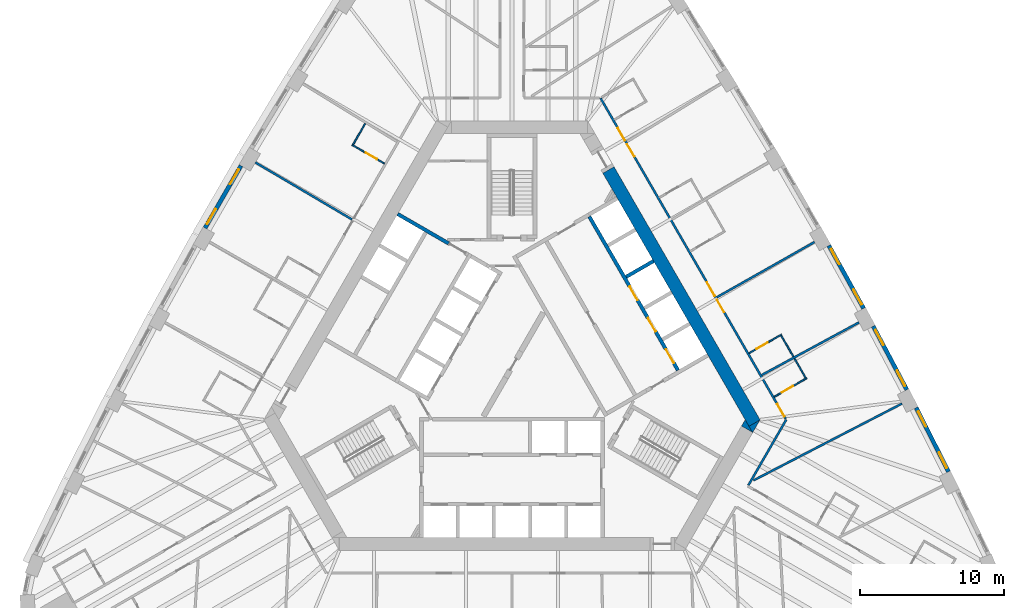
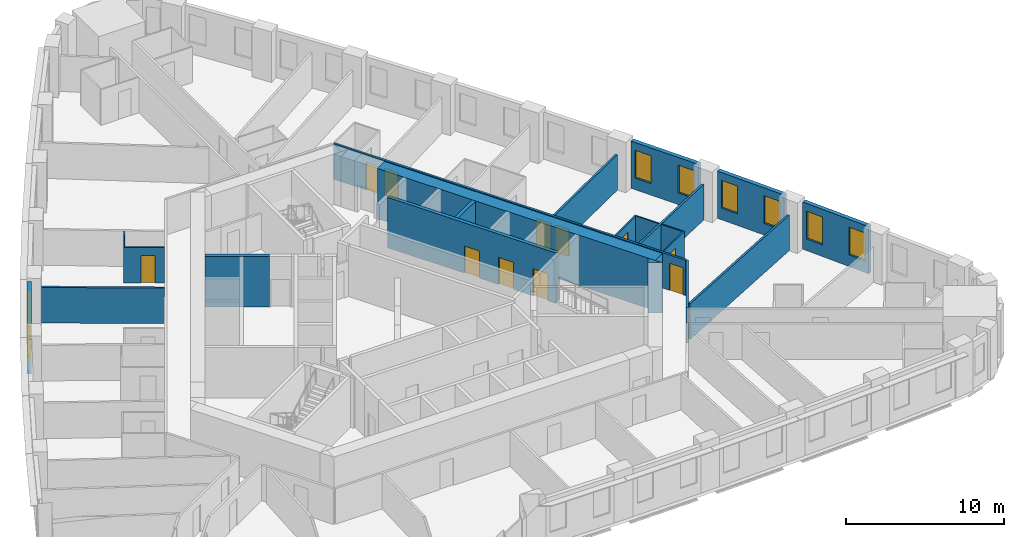
# One storey, part 8 of 12: 22 walls, 11 doors, 8 windows, 19 openings.
"""IFC4 building model written with IfcOpenShell, lengths in metres."""

from ifc_helpers import new_model, si_unit, direction, frame, frame_2d, origin, place, context, subcontext, project, spatial, polyline, rectangle, outline, extrude, material, layer, layer_set, type_object, element, fill, save


model = new_model("IFC4")

# Units and contexts
model_context = context("Model", 3, precision=1e-05, world=origin(), true_north=direction((0.0, 1.0)))
body_context = subcontext(model_context, "Body", "Model", "MODEL_VIEW")
ifc_project = project(units=[si_unit("LENGTHUNIT", "METRE"), si_unit("AREAUNIT", "SQUARE_METRE"), si_unit("VOLUMEUNIT", "CUBIC_METRE"), si_unit("PLANEANGLEUNIT", "RADIAN"), si_unit("MASSUNIT", "GRAM", prefix="KILO")], contexts=[model_context])

# Site, building, storey
site_placement = place(None, origin())
site = spatial("IfcSite", under=ifc_project, at=site_placement, CompositionType="ELEMENT")
building_placement = place(site_placement, origin())
building = spatial("IfcBuilding", under=site, at=building_placement, Name="Mestral Congress Tower", CompositionType="ELEMENT")
storey_placement = place(building_placement, frame((0.0, 0.0, 39.300048828125)))
storey = spatial("IfcBuildingStorey", under=building, at=storey_placement, Name="L08", CompositionType="ELEMENT", Elevation=39.300048828125)

# Walls
ifc_material_1 = material(Name="Concrete C60/75", Category="concrete")
ifc_layer_1 = layer(ifc_material_1, 0.89990234375)
ifc_layer_set_1 = layer_set([ifc_layer_1], Name="Concrete C60/75")
wall_type_1 = type_object("IfcWallType", Name="Core wall RC 900", PredefinedType="SOLIDWALL", material=ifc_layer_set_1)
wall_1_placement = place(storey_placement, frame((6.7109375, 13.476318359375, 0.0), z_axis=(0.0, 0.0, 1.0), x_axis=(0.500002723396, -0.866023831425, 0.0)))
element("IfcWall", 1, at=wall_1_placement, inside=storey, type_object=wall_type_1, Name="L08 core wall", PredefinedType="SOLIDWALL", context=body_context, shape_type="SweptSolid", body=[
    extrude(rectangle(XDim=20.333984375, YDim=0.89990234375, at=frame_2d((10.1669921875, 0.0))), origin(), (0.0, 0.0, 1.0), 3.89990234375),
])
placement = place(storey_placement, origin())
element("IfcWall", 2, at=placement, inside=storey, type_object=wall_type_1, Name="L08 core wall", PredefinedType="SOLIDWALL", context=body_context, shape_type="SweptSolid", body=[
    extrude(outline(polyline([(16.7431640625, -4.800048828125), (16.4892578125, -4.360107421875), (17.251220703125, -3.920166015625), (16.7431640625, -4.800048828125)])), origin(), (0.0, 0.0, 1.0), 3.89990234375),
])
element("IfcWall", 3, at=placement, inside=storey, type_object=wall_type_1, Name="L08 core wall", PredefinedType="SOLIDWALL", context=body_context, shape_type="SweptSolid", body=[
    extrude(outline(polyline([(16.223388671875, -3.900146484375), (16.731689453125, -4.780029296875), (15.969482421875, -4.340087890625), (16.223388671875, -3.900146484375)])), origin(), (0.0, 0.0, 1.0), 3.89990234375),
])

# Wall, openings, windows
ifc_material_2 = material(Name="Precast concrete C40/50 with limestone facing", Category="masonry")
ifc_layer_2 = layer(ifc_material_2, 0.2900390625)
ifc_layer_set_2 = layer_set([ifc_layer_2], Name="Precast concrete C40/50 with limestone facing")
wall_type_2 = type_object("IfcWallType", Name="Facade stone wall 290", PredefinedType="SOLIDWALL", material=ifc_layer_set_2)
wall_4_placement = place(storey_placement, frame((30.376953125, -7.5205078125, 0.0), z_axis=(0.0, 0.0, 1.0), x_axis=(-0.451233929645, 0.892405704115, 0.0)))
wall_4 = element("IfcWall", 4, at=wall_4_placement, inside=storey, type_object=wall_type_2, Name="Facade wall F1-01", PredefinedType="SOLIDWALL", context=body_context, shape_type="SweptSolid", body=[
    extrude(rectangle(XDim=4.998291015625, YDim=0.2900390625, at=frame_2d((2.4990234375, 0.0))), origin(), (0.0, 0.0, 1.0), 3.64990234375),
])
opening_1_placement = place(wall_4_placement, frame((0.297119140625, 0.0, 0.89990234375)))
opening_1 = element("IfcOpeningElement", 5, at=opening_1_placement, cuts=wall_4, Name="Opening W1", PredefinedType="OPENING", context=body_context, shape_type="SweptSolid", body=[
    extrude(rectangle(XDim=1.199951171875, YDim=2.14990234375, at=frame_2d((0.60009765625, 1.074951171875))), frame((0.0, 0.155029296875, 0.0), z_axis=(0.0, -1.0, 0.0), x_axis=(1.0, 0.0, 0.0)), (0.0, 0.0, 1.0), 0.31005859375),
])
opening_2_placement = place(wall_4_placement, frame((3.501220703125, 0.0, 0.89990234375)))
opening_2 = element("IfcOpeningElement", 6, at=opening_2_placement, cuts=wall_4, Name="Opening W1", PredefinedType="OPENING", context=body_context, shape_type="SweptSolid", body=[
    extrude(rectangle(XDim=1.199951171875, YDim=2.14990234375, at=frame_2d((0.60009765625, 1.074951171875))), frame((0.0, 0.155029296875, 0.0), z_axis=(0.0, -1.0, 0.0), x_axis=(1.0, 0.0, 0.0)), (0.0, 0.0, 1.0), 0.31005859375),
])
ifc_material_3 = material(Name="Clear low-emissivity double glazing", Category="glass")
window_type = type_object("IfcWindowType", Name="Facade punched window 1200 x 2150 sill 900", PartitioningType="DOUBLE_PANEL_VERTICAL", PredefinedType="WINDOW", material=ifc_material_3)
window_1_placement = place(opening_1_placement, origin())
window_1 = element("IfcWindow", 7, at=window_1_placement, inside=storey, type_object=window_type, Name="Window F1-01a", OverallHeight=2.14990234375, OverallWidth=1.199951171875, PartitioningType="DOUBLE_PANEL_VERTICAL", PredefinedType="WINDOW", context=body_context, shape_type="SweptSolid", body=[
    extrude(rectangle(XDim=1.199951171875, YDim=2.14990234375, at=frame_2d((0.60009765625, 1.074951171875))), frame((0.0, 0.01513671875, 0.0), z_axis=(0.0, -1.0, 0.0), x_axis=(1.0, 0.0, 0.0)), (0.0, 0.0, 1.0), 0.06005859375),
])
fill(opening_1, window_1)
window_2_placement = place(opening_2_placement, origin())
window_2 = element("IfcWindow", 8, at=window_2_placement, inside=storey, type_object=window_type, Name="Window F1-01b", OverallHeight=2.14990234375, OverallWidth=1.199951171875, PartitioningType="DOUBLE_PANEL_VERTICAL", PredefinedType="WINDOW", context=body_context, shape_type="SweptSolid", body=[
    extrude(rectangle(XDim=1.199951171875, YDim=2.14990234375, at=frame_2d((0.60009765625, 1.074951171875))), frame((0.0, 0.01513671875, 0.0), z_axis=(0.0, -1.0, 0.0), x_axis=(1.0, 0.0, 0.0)), (0.0, 0.0, 1.0), 0.06005859375),
])
fill(opening_2, window_2)

wall_5_placement = place(storey_placement, frame((27.47509765625, -1.810302734375, 0.0), z_axis=(0.0, 0.0, 1.0), x_axis=(-0.467629620899, 0.883924509026, 0.0)))
wall_5 = element("IfcWall", 9, at=wall_5_placement, inside=storey, type_object=wall_type_2, Name="Facade wall F1-02", PredefinedType="SOLIDWALL", context=body_context, shape_type="SweptSolid", body=[
    extrude(rectangle(XDim=4.998291015625, YDim=0.2900390625, at=frame_2d((2.4990234375, 0.0))), origin(), (0.0, 0.0, 1.0), 3.64990234375),
])
opening_3_placement = place(wall_5_placement, frame((0.297119140625, 0.0, 0.89990234375)))
opening_3 = element("IfcOpeningElement", 10, at=opening_3_placement, cuts=wall_5, Name="Opening W1", PredefinedType="OPENING", context=body_context, shape_type="SweptSolid", body=[
    extrude(rectangle(XDim=1.199951171875, YDim=2.14990234375, at=frame_2d((0.60009765625, 1.074951171875))), frame((0.0, 0.155029296875, 0.0), z_axis=(0.0, -1.0, 0.0), x_axis=(1.0, 0.0, 0.0)), (0.0, 0.0, 1.0), 0.31005859375),
])
opening_4_placement = place(wall_5_placement, frame((3.501220703125, 0.0, 0.89990234375)))
opening_4 = element("IfcOpeningElement", 11, at=opening_4_placement, cuts=wall_5, Name="Opening W1", PredefinedType="OPENING", context=body_context, shape_type="SweptSolid", body=[
    extrude(rectangle(XDim=1.199951171875, YDim=2.14990234375, at=frame_2d((0.60009765625, 1.074951171875))), frame((0.0, 0.155029296875, 0.0), z_axis=(0.0, -1.0, 0.0), x_axis=(1.0, 0.0, 0.0)), (0.0, 0.0, 1.0), 0.31005859375),
])
window_3_placement = place(opening_3_placement, origin())
window_3 = element("IfcWindow", 12, at=window_3_placement, inside=storey, type_object=window_type, Name="Window F1-02a", OverallHeight=2.14990234375, OverallWidth=1.199951171875, PartitioningType="DOUBLE_PANEL_VERTICAL", PredefinedType="WINDOW", context=body_context, shape_type="SweptSolid", body=[
    extrude(rectangle(XDim=1.199951171875, YDim=2.14990234375, at=frame_2d((0.60009765625, 1.074951171875))), frame((0.0, 0.01513671875, 0.0), z_axis=(0.0, -1.0, 0.0), x_axis=(1.0, 0.0, 0.0)), (0.0, 0.0, 1.0), 0.06005859375),
])
fill(opening_3, window_3)
window_4_placement = place(opening_4_placement, origin())
window_4 = element("IfcWindow", 13, at=window_4_placement, inside=storey, type_object=window_type, Name="Window F1-02b", OverallHeight=2.14990234375, OverallWidth=1.199951171875, PartitioningType="DOUBLE_PANEL_VERTICAL", PredefinedType="WINDOW", context=body_context, shape_type="SweptSolid", body=[
    extrude(rectangle(XDim=1.199951171875, YDim=2.14990234375, at=frame_2d((0.60009765625, 1.074951171875))), frame((0.0, 0.01513671875, 0.0), z_axis=(0.0, -1.0, 0.0), x_axis=(1.0, 0.0, 0.0)), (0.0, 0.0, 1.0), 0.06005859375),
])
fill(opening_4, window_4)

wall_6_placement = place(storey_placement, frame((24.46826171875, 3.845703125, 0.0), z_axis=(0.0, 0.0, 1.0), x_axis=(-0.483912572871, 0.875116347589, 0.0)))
wall_6 = element("IfcWall", 14, at=wall_6_placement, inside=storey, type_object=wall_type_2, Name="Facade wall F1-03", PredefinedType="SOLIDWALL", context=body_context, shape_type="SweptSolid", body=[
    extrude(rectangle(XDim=4.998291015625, YDim=0.2900390625, at=frame_2d((2.4990234375, 0.0))), origin(), (0.0, 0.0, 1.0), 3.64990234375),
])
opening_5_placement = place(wall_6_placement, frame((0.297119140625, 0.0, 0.89990234375)))
opening_5 = element("IfcOpeningElement", 15, at=opening_5_placement, cuts=wall_6, Name="Opening W1", PredefinedType="OPENING", context=body_context, shape_type="SweptSolid", body=[
    extrude(rectangle(XDim=1.199951171875, YDim=2.14990234375, at=frame_2d((0.60009765625, 1.074951171875))), frame((0.0, 0.155029296875, 0.0), z_axis=(0.0, -1.0, 0.0), x_axis=(1.0, 0.0, 0.0)), (0.0, 0.0, 1.0), 0.31005859375),
])
opening_6_placement = place(wall_6_placement, frame((3.501220703125, 0.0, 0.89990234375)))
opening_6 = element("IfcOpeningElement", 16, at=opening_6_placement, cuts=wall_6, Name="Opening W1", PredefinedType="OPENING", context=body_context, shape_type="SweptSolid", body=[
    extrude(rectangle(XDim=1.199951171875, YDim=2.14990234375, at=frame_2d((0.60009765625, 1.074951171875))), frame((0.0, 0.155029296875, 0.0), z_axis=(0.0, -1.0, 0.0), x_axis=(1.0, 0.0, 0.0)), (0.0, 0.0, 1.0), 0.31005859375),
])
window_5_placement = place(opening_5_placement, origin())
window_5 = element("IfcWindow", 17, at=window_5_placement, inside=storey, type_object=window_type, Name="Window F1-03a", OverallHeight=2.14990234375, OverallWidth=1.199951171875, PartitioningType="DOUBLE_PANEL_VERTICAL", PredefinedType="WINDOW", context=body_context, shape_type="SweptSolid", body=[
    extrude(rectangle(XDim=1.199951171875, YDim=2.14990234375, at=frame_2d((0.60009765625, 1.074951171875))), frame((0.0, 0.01513671875, 0.0), z_axis=(0.0, -1.0, 0.0), x_axis=(1.0, 0.0, 0.0)), (0.0, 0.0, 1.0), 0.06005859375),
])
fill(opening_5, window_5)
window_6_placement = place(opening_6_placement, origin())
window_6 = element("IfcWindow", 18, at=window_6_placement, inside=storey, type_object=window_type, Name="Window F1-03b", OverallHeight=2.14990234375, OverallWidth=1.199951171875, PartitioningType="DOUBLE_PANEL_VERTICAL", PredefinedType="WINDOW", context=body_context, shape_type="SweptSolid", body=[
    extrude(rectangle(XDim=1.199951171875, YDim=2.14990234375, at=frame_2d((0.60009765625, 1.074951171875))), frame((0.0, 0.01513671875, 0.0), z_axis=(0.0, -1.0, 0.0), x_axis=(1.0, 0.0, 0.0)), (0.0, 0.0, 1.0), 0.06005859375),
])
fill(opening_6, window_6)

wall_7_placement = place(storey_placement, frame((-18.85791015625, 13.7734375, 0.0), z_axis=(0.0, 0.0, 1.0), x_axis=(-0.50002123722, -0.866013142123, 0.0)))
wall_7 = element("IfcWall", 19, at=wall_7_placement, inside=storey, type_object=wall_type_2, Name="Facade wall F2-04", PredefinedType="SOLIDWALL", context=body_context, shape_type="SweptSolid", body=[
    extrude(rectangle(XDim=4.998291015625, YDim=0.2900390625, at=frame_2d((2.4990234375, 0.0))), origin(), (0.0, 0.0, 1.0), 3.64990234375),
])
opening_7_placement = place(wall_7_placement, frame((0.297119140625, 0.0, 0.89990234375)))
opening_7 = element("IfcOpeningElement", 20, at=opening_7_placement, cuts=wall_7, Name="Opening W1", PredefinedType="OPENING", context=body_context, shape_type="SweptSolid", body=[
    extrude(rectangle(XDim=1.199951171875, YDim=2.14990234375, at=frame_2d((0.60009765625, 1.074951171875))), frame((0.0, 0.155029296875, 0.0), z_axis=(0.0, -1.0, 0.0), x_axis=(1.0, 0.0, 0.0)), (0.0, 0.0, 1.0), 0.31005859375),
])
opening_8_placement = place(wall_7_placement, frame((3.501220703125, 0.0, 0.89990234375)))
opening_8 = element("IfcOpeningElement", 21, at=opening_8_placement, cuts=wall_7, Name="Opening W1", PredefinedType="OPENING", context=body_context, shape_type="SweptSolid", body=[
    extrude(rectangle(XDim=1.199951171875, YDim=2.14990234375, at=frame_2d((0.60009765625, 1.074951171875))), frame((0.0, 0.155029296875, 0.0), z_axis=(0.0, -1.0, 0.0), x_axis=(1.0, 0.0, 0.0)), (0.0, 0.0, 1.0), 0.31005859375),
])
window_7_placement = place(opening_7_placement, origin())
window_7 = element("IfcWindow", 22, at=window_7_placement, inside=storey, type_object=window_type, Name="Window F2-04a", OverallHeight=2.14990234375, OverallWidth=1.199951171875, PartitioningType="DOUBLE_PANEL_VERTICAL", PredefinedType="WINDOW", context=body_context, shape_type="SweptSolid", body=[
    extrude(rectangle(XDim=1.199951171875, YDim=2.14990234375, at=frame_2d((0.60009765625, 1.074951171875))), frame((0.0, 0.01513671875, 0.0), z_axis=(0.0, -1.0, 0.0), x_axis=(1.0, 0.0, 0.0)), (0.0, 0.0, 1.0), 0.06005859375),
])
fill(opening_7, window_7)
window_8_placement = place(opening_8_placement, origin())
window_8 = element("IfcWindow", 23, at=window_8_placement, inside=storey, type_object=window_type, Name="Window F2-04b", OverallHeight=2.14990234375, OverallWidth=1.199951171875, PartitioningType="DOUBLE_PANEL_VERTICAL", PredefinedType="WINDOW", context=body_context, shape_type="SweptSolid", body=[
    extrude(rectangle(XDim=1.199951171875, YDim=2.14990234375, at=frame_2d((0.60009765625, 1.074951171875))), frame((0.0, 0.01513671875, 0.0), z_axis=(0.0, -1.0, 0.0), x_axis=(1.0, 0.0, 0.0)), (0.0, 0.0, 1.0), 0.06005859375),
])
fill(opening_8, window_8)

# Wall, opening, door
ifc_material_4 = material(Name="Gypsum board partition on metal studs with mineral wool", Category="composite")
ifc_layer_3 = layer(ifc_material_4, 0.10009765625)
ifc_layer_set_3 = layer_set([ifc_layer_3], Name="Gypsum board partition on metal studs with mineral wool")
wall_type_3 = type_object("IfcWallType", Name="Hotel partition wall 100", PredefinedType="PARTITIONING", material=ifc_layer_set_3)
wall_8_placement = place(storey_placement, frame((18.25048828125, -2.31103515625, 0.0), z_axis=(0.0, 0.0, 1.0), x_axis=(0.866021400173, 0.500006934395, 0.0)))
wall_8 = element("IfcWall", 24, at=wall_8_placement, inside=storey, type_object=wall_type_3, Name="L08-h-pod12a", PredefinedType="PARTITIONING", context=body_context, shape_type="SweptSolid", body=[
    extrude(rectangle(XDim=2.60009765625, YDim=0.10009765625, at=frame_2d((1.300048828125, 0.0))), origin(), (0.0, 0.0, 1.0), 2.75),
])
opening_9_placement = place(wall_8_placement, frame((0.60009765625, 0.0, 0.0)))
opening_9 = element("IfcOpeningElement", 25, at=opening_9_placement, cuts=wall_8, Name="Opening H02-017", PredefinedType="OPENING", context=body_context, shape_type="SweptSolid", body=[
    extrude(rectangle(XDim=0.89990234375, YDim=2.10009765625, at=frame_2d((0.449951171875, 1.050048828125))), frame((0.0, 0.06005859375, 0.0), z_axis=(0.0, -1.0, 0.0), x_axis=(1.0, 0.0, 0.0)), (0.0, 0.0, 1.0), 0.1201171875),
])
ifc_material_5 = material(Name="Timber veneer door leaf in timber frame", Category="wood")
door_type_1 = type_object("IfcDoorType", Name="Bathroom door 900", OperationType="SINGLE_SWING_LEFT", PredefinedType="DOOR", material=ifc_material_5)
door_1_placement = place(opening_9_placement, origin())
door_1 = element("IfcDoor", 26, at=door_1_placement, inside=storey, type_object=door_type_1, Name="L08-h-d017", OperationType="SINGLE_SWING_RIGHT", OverallHeight=2.10009765625, OverallWidth=0.89990234375, PredefinedType="DOOR", context=body_context, shape_type="SweptSolid", body=[
    extrude(rectangle(XDim=0.89990234375, YDim=2.10009765625, at=frame_2d((0.449951171875, 1.050048828125))), frame((0.0, 0.02490234375, 0.0), z_axis=(0.0, -1.0, 0.0), x_axis=(1.0, 0.0, 0.0)), (0.0, 0.0, 1.0), 0.050048828125),
])
fill(opening_9, door_1)

# Wall
wall_9_placement = place(storey_placement, frame((20.43408203125, -0.99267578125, 0.0), z_axis=(0.0, 0.0, 1.0), x_axis=(-0.500086022567, 0.865975732936, 0.0)))
element("IfcWall", 27, at=wall_9_placement, inside=storey, type_object=wall_type_3, Name="L08-h-pod12b", PredefinedType="PARTITIONING", context=body_context, shape_type="SweptSolid", body=[
    extrude(rectangle(XDim=1.550048828125, YDim=0.10009765625, at=frame_2d((0.77490234375, 0.0))), origin(), (0.0, 0.0, 1.0), 2.75),
])

# Wall, opening, door
wall_10_placement = place(storey_placement, frame((18.7490234375, 2.02587890625, 0.0), z_axis=(0.0, 0.0, 1.0), x_axis=(-0.866021400173, -0.500006934395, 0.0)))
wall_10 = element("IfcWall", 28, at=wall_10_placement, inside=storey, type_object=wall_type_3, Name="L08-h-pod13a", PredefinedType="PARTITIONING", context=body_context, shape_type="SweptSolid", body=[
    extrude(rectangle(XDim=2.60009765625, YDim=0.10009765625, at=frame_2d((1.300048828125, 0.0))), origin(), (0.0, 0.0, 1.0), 2.75),
])
opening_10_placement = place(wall_10_placement, frame((1.10009765625, 0.0, 0.0)))
opening_10 = element("IfcOpeningElement", 29, at=opening_10_placement, cuts=wall_10, Name="Opening H02-019", PredefinedType="OPENING", context=body_context, shape_type="SweptSolid", body=[
    extrude(rectangle(XDim=0.89990234375, YDim=2.10009765625, at=frame_2d((0.449951171875, 1.050048828125))), frame((0.0, 0.06005859375, 0.0), z_axis=(0.0, -1.0, 0.0), x_axis=(1.0, 0.0, 0.0)), (0.0, 0.0, 1.0), 0.1201171875),
])
door_2_placement = place(opening_10_placement, origin())
door_2 = element("IfcDoor", 30, at=door_2_placement, inside=storey, type_object=door_type_1, Name="L08-h-d019", OperationType="SINGLE_SWING_LEFT", OverallHeight=2.10009765625, OverallWidth=0.89990234375, PredefinedType="DOOR", context=body_context, shape_type="SweptSolid", body=[
    extrude(rectangle(XDim=0.89990234375, YDim=2.10009765625, at=frame_2d((0.449951171875, 1.050048828125))), frame((0.0, 0.02490234375, 0.0), z_axis=(0.0, -1.0, 0.0), x_axis=(1.0, 0.0, 0.0)), (0.0, 0.0, 1.0), 0.050048828125),
])
fill(opening_10, door_2)

# Wall
wall_11_placement = place(storey_placement, frame((18.730712890625, 1.95751953125, 0.0), z_axis=(0.0, 0.0, 1.0), x_axis=(0.499976720371, -0.866038843867, 0.0)))
element("IfcWall", 31, at=wall_11_placement, inside=storey, type_object=wall_type_3, Name="L08-h-pod13b", PredefinedType="PARTITIONING", context=body_context, shape_type="SweptSolid", body=[
    extrude(rectangle(XDim=1.68994140625, YDim=0.10009765625, at=frame_2d((0.844970703125, 0.0))), origin(), (0.0, 0.0, 1.0), 2.75),
])

# Wall, opening, door
wall_12_placement = place(storey_placement, frame((-11.12890625, 15.22412109375, 0.0), z_axis=(0.0, 0.0, 1.0), x_axis=(0.866021400173, -0.500006934395, 0.0)))
wall_12 = element("IfcWall", 32, at=wall_12_placement, inside=storey, type_object=wall_type_3, Name="L08-h-pod21a", PredefinedType="PARTITIONING", context=body_context, shape_type="SweptSolid", body=[
    extrude(rectangle(XDim=2.60009765625, YDim=0.10009765625, at=frame_2d((1.300048828125, 0.0))), origin(), (0.0, 0.0, 1.0), 2.75),
])
opening_11_placement = place(wall_12_placement, frame((1.10009765625, 0.0, 0.0)))
opening_11 = element("IfcOpeningElement", 33, at=opening_11_placement, cuts=wall_12, Name="Opening H02-034", PredefinedType="OPENING", context=body_context, shape_type="SweptSolid", body=[
    extrude(rectangle(XDim=0.89990234375, YDim=2.10009765625, at=frame_2d((0.449951171875, 1.050048828125))), frame((0.0, 0.06005859375, 0.0), z_axis=(0.0, -1.0, 0.0), x_axis=(1.0, 0.0, 0.0)), (0.0, 0.0, 1.0), 0.1201171875),
])
door_3_placement = place(opening_11_placement, origin())
door_3 = element("IfcDoor", 34, at=door_3_placement, inside=storey, type_object=door_type_1, Name="L08-h-d034", OperationType="SINGLE_SWING_RIGHT", OverallHeight=2.10009765625, OverallWidth=0.89990234375, PredefinedType="DOOR", context=body_context, shape_type="SweptSolid", body=[
    extrude(rectangle(XDim=0.89990234375, YDim=2.10009765625, at=frame_2d((0.449951171875, 1.050048828125))), frame((0.0, 0.02490234375, 0.0), z_axis=(0.0, -1.0, 0.0), x_axis=(1.0, 0.0, 0.0)), (0.0, 0.0, 1.0), 0.050048828125),
])
fill(opening_11, door_3)

# Walls
wall_13_placement = place(storey_placement, frame((-11.060791015625, 15.2421875, 0.0), z_axis=(0.0, 0.0, 1.0), x_axis=(0.499976720371, 0.866038843867, 0.0)))
element("IfcWall", 35, at=wall_13_placement, inside=storey, type_object=wall_type_3, Name="L08-h-pod21b", PredefinedType="PARTITIONING", context=body_context, shape_type="SweptSolid", body=[
    extrude(rectangle(XDim=1.68994140625, YDim=0.10009765625, at=frame_2d((0.844970703125, 0.0))), origin(), (0.0, 0.0, 1.0), 2.75),
])
ifc_layer_4 = layer(ifc_material_4, 0.14990234375)
ifc_layer_set_4 = layer_set([ifc_layer_4], Name="Gypsum board partition on metal studs with mineral wool")
wall_type_4 = type_object("IfcWallType", Name="Hotel partition wall 150", PredefinedType="PARTITIONING", material=ifc_layer_set_4)
wall_14_placement = place(storey_placement, frame((19.081298828125, -3.89990234375, 0.0), z_axis=(0.0, 0.0, 1.0), x_axis=(-0.499974327079, -0.866040225545, 0.0)))
element("IfcWall", 36, at=wall_14_placement, inside=storey, type_object=wall_type_4, Name="L08-h-cw02", PredefinedType="PARTITIONING", context=body_context, shape_type="SweptSolid", body=[
    extrude(rectangle(XDim=5.258056640625, YDim=0.14990234375, at=frame_2d((2.62890625, 0.0))), origin(), (0.0, 0.0, 1.0), 2.75),
])

# Wall, openings, doors
wall_15_placement = place(storey_placement, frame((6.1630859375, 18.47509765625, 0.0), z_axis=(0.0, 0.0, 1.0), x_axis=(0.500001317485, -0.866024643133, 0.0)))
wall_15 = element("IfcWall", 37, at=wall_15_placement, inside=storey, type_object=wall_type_4, Name="L08-h-cw03", PredefinedType="PARTITIONING", context=body_context, shape_type="SweptSolid", body=[
    extrude(rectangle(XDim=25.7666015625, YDim=0.14990234375, at=frame_2d((12.88330078125, 0.0))), origin(), (0.0, 0.0, 1.0), 2.75),
])
opening_12_placement = place(wall_15_placement, frame((24.58642578125, 0.0, 0.0)))
opening_12 = element("IfcOpeningElement", 38, at=opening_12_placement, cuts=wall_15, Name="Opening H02-016", PredefinedType="OPENING", context=body_context, shape_type="SweptSolid", body=[
    extrude(rectangle(XDim=1.0, YDim=2.10009765625, at=frame_2d((0.5, 1.050048828125))), frame((0.0, 0.0849609375, 0.0), z_axis=(0.0, -1.0, 0.0), x_axis=(1.0, 0.0, 0.0)), (0.0, 0.0, 1.0), 0.169921875),
])
opening_13_placement = place(wall_15_placement, frame((16.19580078125, 0.0, 0.0)))
opening_13 = element("IfcOpeningElement", 39, at=opening_13_placement, cuts=wall_15, Name="Opening H02-018", PredefinedType="OPENING", context=body_context, shape_type="SweptSolid", body=[
    extrude(rectangle(XDim=1.0, YDim=2.10009765625, at=frame_2d((0.5, 1.050048828125))), frame((0.0, 0.0849609375, 0.0), z_axis=(0.0, -1.0, 0.0), x_axis=(1.0, 0.0, 0.0)), (0.0, 0.0, 1.0), 0.169921875),
])
opening_14_placement = place(wall_15_placement, frame((14.788818359375, 0.0, 0.0)))
opening_14 = element("IfcOpeningElement", 40, at=opening_14_placement, cuts=wall_15, Name="Opening H02-020", PredefinedType="OPENING", context=body_context, shape_type="SweptSolid", body=[
    extrude(rectangle(XDim=1.10009765625, YDim=2.10009765625, at=frame_2d((0.550048828125, 1.050048828125))), frame((0.0, 0.0849609375, 0.0), z_axis=(0.0, -1.0, 0.0), x_axis=(1.0, 0.0, 0.0)), (0.0, 0.0, 1.0), 0.169921875),
])
opening_15_placement = place(wall_15_placement, frame((3.698486328125, 0.0, 0.0)))
opening_15 = element("IfcOpeningElement", 41, at=opening_15_placement, cuts=wall_15, Name="Opening H02-022", PredefinedType="OPENING", context=body_context, shape_type="SweptSolid", body=[
    extrude(rectangle(XDim=1.0, YDim=2.10009765625, at=frame_2d((0.5, 1.050048828125))), frame((0.0, 0.0849609375, 0.0), z_axis=(0.0, -1.0, 0.0), x_axis=(1.0, 0.0, 0.0)), (0.0, 0.0, 1.0), 0.169921875),
])
opening_16_placement = place(wall_15_placement, frame((2.39111328125, 0.0, 0.0)))
opening_16 = element("IfcOpeningElement", 42, at=opening_16_placement, cuts=wall_15, Name="Opening H02-024", PredefinedType="OPENING", context=body_context, shape_type="SweptSolid", body=[
    extrude(rectangle(XDim=1.0, YDim=2.10009765625, at=frame_2d((0.5, 1.050048828125))), frame((0.0, 0.0849609375, 0.0), z_axis=(0.0, -1.0, 0.0), x_axis=(1.0, 0.0, 0.0)), (0.0, 0.0, 1.0), 0.169921875),
])
ifc_material_6 = material(Name="Timber veneer door leaf in metal frame", Category="wood")
door_type_2 = type_object("IfcDoorType", Name="Accessible room entrance door 1100", OperationType="SINGLE_SWING_LEFT", PredefinedType="DOOR", material=ifc_material_6)
door_4_placement = place(opening_14_placement, origin())
door_4 = element("IfcDoor", 43, at=door_4_placement, inside=storey, type_object=door_type_2, Name="L08-h-d020", OperationType="SINGLE_SWING_RIGHT", OverallHeight=2.10009765625, OverallWidth=1.10009765625, PredefinedType="DOOR", context=body_context, shape_type="SweptSolid", body=[
    extrude(rectangle(XDim=1.10009765625, YDim=2.10009765625, at=frame_2d((0.550048828125, 1.050048828125))), frame((0.0, 0.02490234375, 0.0), z_axis=(0.0, -1.0, 0.0), x_axis=(1.0, 0.0, 0.0)), (0.0, 0.0, 1.0), 0.050048828125),
])
fill(opening_14, door_4)
door_type_3 = type_object("IfcDoorType", Name="Guest room entrance door 1000", OperationType="SINGLE_SWING_LEFT", PredefinedType="DOOR", material=ifc_material_6)
door_5_placement = place(opening_12_placement, origin())
door_5 = element("IfcDoor", 44, at=door_5_placement, inside=storey, type_object=door_type_3, Name="L08-h-d016", OperationType="SINGLE_SWING_RIGHT", OverallHeight=2.10009765625, OverallWidth=1.0, PredefinedType="DOOR", context=body_context, shape_type="SweptSolid", body=[
    extrude(rectangle(XDim=1.0, YDim=2.10009765625, at=frame_2d((0.5, 1.050048828125))), frame((0.0, 0.02490234375, 0.0), z_axis=(0.0, -1.0, 0.0), x_axis=(1.0, 0.0, 0.0)), (0.0, 0.0, 1.0), 0.050048828125),
])
fill(opening_12, door_5)
door_6_placement = place(opening_13_placement, origin())
door_6 = element("IfcDoor", 45, at=door_6_placement, inside=storey, type_object=door_type_3, Name="L08-h-d018", OperationType="SINGLE_SWING_LEFT", OverallHeight=2.10009765625, OverallWidth=1.0, PredefinedType="DOOR", context=body_context, shape_type="SweptSolid", body=[
    extrude(rectangle(XDim=1.0, YDim=2.10009765625, at=frame_2d((0.5, 1.050048828125))), frame((0.0, 0.02490234375, 0.0), z_axis=(0.0, -1.0, 0.0), x_axis=(1.0, 0.0, 0.0)), (0.0, 0.0, 1.0), 0.050048828125),
])
fill(opening_13, door_6)
door_7_placement = place(opening_15_placement, origin())
door_7 = element("IfcDoor", 46, at=door_7_placement, inside=storey, type_object=door_type_3, Name="L08-h-d022", OperationType="SINGLE_SWING_LEFT", OverallHeight=2.10009765625, OverallWidth=1.0, PredefinedType="DOOR", context=body_context, shape_type="SweptSolid", body=[
    extrude(rectangle(XDim=1.0, YDim=2.10009765625, at=frame_2d((0.5, 1.050048828125))), frame((0.0, 0.02490234375, 0.0), z_axis=(0.0, -1.0, 0.0), x_axis=(1.0, 0.0, 0.0)), (0.0, 0.0, 1.0), 0.050048828125),
])
fill(opening_15, door_7)
door_8_placement = place(opening_16_placement, origin())
door_8 = element("IfcDoor", 47, at=door_8_placement, inside=storey, type_object=door_type_3, Name="L08-h-d024", OperationType="SINGLE_SWING_RIGHT", OverallHeight=2.10009765625, OverallWidth=1.0, PredefinedType="DOOR", context=body_context, shape_type="SweptSolid", body=[
    extrude(rectangle(XDim=1.0, YDim=2.10009765625, at=frame_2d((0.5, 1.050048828125))), frame((0.0, 0.02490234375, 0.0), z_axis=(0.0, -1.0, 0.0), x_axis=(1.0, 0.0, 0.0)), (0.0, 0.0, 1.0), 0.050048828125),
])
fill(opening_16, door_8)

# Walls
wall_16_placement = place(storey_placement, frame((-17.85595703125, 13.999267578125, 0.0), z_axis=(0.0, 0.0, 1.0), x_axis=(0.861371519381, -0.507975497047, 0.0)))
element("IfcWall", 48, at=wall_16_placement, inside=storey, type_object=wall_type_4, Name="L08-h-pw09", PredefinedType="PARTITIONING", context=body_context, shape_type="SweptSolid", body=[
    extrude(rectangle(XDim=7.8037109375, YDim=0.14990234375, at=frame_2d((3.90185546875, 0.0))), origin(), (0.0, 0.0, 1.0), 2.75),
])
wall_17_placement = place(storey_placement, frame((21.051513671875, 8.464111328125, 0.0), z_axis=(0.0, 0.0, 1.0), x_axis=(-0.87059371954, -0.492002617368, 0.0)))
element("IfcWall", 49, at=wall_17_placement, inside=storey, type_object=wall_type_4, Name="L08-h-pw21", PredefinedType="PARTITIONING", context=body_context, shape_type="SweptSolid", body=[
    extrude(rectangle(XDim=7.803466796875, YDim=0.14990234375, at=frame_2d((3.90185546875, 0.0))), origin(), (0.0, 0.0, 1.0), 2.75),
])
wall_18_placement = place(storey_placement, frame((27.133544921875, -2.779052734375, 0.0), z_axis=(0.0, 0.0, 1.0), x_axis=(-0.8882049501, -0.459447457951, 0.0)))
element("IfcWall", 50, at=wall_18_placement, inside=storey, type_object=wall_type_4, Name="L08-h-pw23", PredefinedType="PARTITIONING", context=body_context, shape_type="SweptSolid", body=[
    extrude(rectangle(XDim=11.63818359375, YDim=0.14990234375, at=frame_2d((5.819091796875, 0.0))), origin(), (0.0, 0.0, 1.0), 2.75),
])
wall_19_placement = place(storey_placement, frame((24.14453125, 2.87060546875, 0.0), z_axis=(0.0, 0.0, 1.0), x_axis=(-0.879551725039, -0.475803281809, 0.0)))
element("IfcWall", 51, at=wall_19_placement, inside=storey, type_object=wall_type_4, Name="L08-h-pw24", PredefinedType="PARTITIONING", context=body_context, shape_type="SweptSolid", body=[
    extrude(rectangle(XDim=7.68798828125, YDim=0.14990234375, at=frame_2d((3.843994140625, 0.0))), origin(), (0.0, 0.0, 1.0), 2.75),
])
ifc_layer_5 = layer(ifc_material_1, 0.25)
ifc_layer_set_5 = layer_set([ifc_layer_5], Name="Concrete C60/75")
wall_type_5 = type_object("IfcWallType", Name="Shaft wall RC 250", PredefinedType="SOLIDWALL", material=ifc_layer_set_5)
wall_20_placement = place(storey_placement, frame((7.943603515625, 6.041259765625, 0.0), z_axis=(0.0, 0.0, 1.0), x_axis=(0.86605622881, 0.499946605688, 0.0)))
element("IfcWall", 52, at=wall_20_placement, inside=storey, type_object=wall_type_5, Name="L08 core wall", PredefinedType="SOLIDWALL", context=body_context, shape_type="SweptSolid", body=[
    extrude(rectangle(XDim=2.199951171875, YDim=0.25, at=frame_2d((1.10009765625, 0.0))), origin(), (0.0, 0.0, 1.0), 3.89990234375),
])
wall_21_placement = place(storey_placement, frame((-7.958984375, 10.414794921875, 0.0), z_axis=(0.0, 0.0, 1.0), x_axis=(0.866020958405, -0.500007699544, 0.0)))
element("IfcWall", 53, at=wall_21_placement, inside=storey, type_object=wall_type_5, Name="L08 core wall", PredefinedType="SOLIDWALL", context=body_context, shape_type="SweptSolid", body=[
    extrude(rectangle(XDim=4.099609375, YDim=0.25, at=frame_2d((2.0498046875, 0.0))), origin(), (0.0, 0.0, 1.0), 3.89990234375),
])

# Wall, openings, doors
wall_22_placement = place(storey_placement, frame((11.552978515625, -0.460205078125, 0.0), z_axis=(0.0, 0.0, 1.0), x_axis=(-0.500006514828, 0.866021642414, 0.0)))
wall_22 = element("IfcWall", 54, at=wall_22_placement, inside=storey, type_object=wall_type_5, Name="L08 door wall", PredefinedType="SOLIDWALL", context=body_context, shape_type="SweptSolid", body=[
    extrude(rectangle(XDim=12.349853515625, YDim=0.25, at=frame_2d((6.1748046875, 0.0))), origin(), (0.0, 0.0, 1.0), 3.89990234375),
])
opening_17_placement = place(wall_22_placement, frame((0.5849609375, 0.0, 0.0)))
opening_17 = element("IfcOpeningElement", 55, at=opening_17_placement, cuts=wall_22, Name="Opening LD-NEA1", PredefinedType="OPENING", context=body_context, shape_type="SweptSolid", body=[
    extrude(rectangle(XDim=1.10009765625, YDim=2.10009765625, at=frame_2d((0.550048828125, 1.050048828125))), frame((0.0, 0.135009765625, 0.0), z_axis=(0.0, -1.0, 0.0), x_axis=(1.0, 0.0, 0.0)), (0.0, 0.0, 1.0), 0.27001953125),
])
opening_18_placement = place(wall_22_placement, frame((3.10498046875, 0.0, 0.0)))
opening_18 = element("IfcOpeningElement", 56, at=opening_18_placement, cuts=wall_22, Name="Opening LD-NEA2", PredefinedType="OPENING", context=body_context, shape_type="SweptSolid", body=[
    extrude(rectangle(XDim=1.10009765625, YDim=2.10009765625, at=frame_2d((0.550048828125, 1.050048828125))), frame((0.0, 0.135009765625, 0.0), z_axis=(0.0, -1.0, 0.0), x_axis=(1.0, 0.0, 0.0)), (0.0, 0.0, 1.0), 0.27001953125),
])
opening_19_placement = place(wall_22_placement, frame((5.625, 0.0, 0.0)))
opening_19 = element("IfcOpeningElement", 57, at=opening_19_placement, cuts=wall_22, Name="Opening LD-NEA3", PredefinedType="OPENING", context=body_context, shape_type="SweptSolid", body=[
    extrude(rectangle(XDim=1.10009765625, YDim=2.10009765625, at=frame_2d((0.550048828125, 1.050048828125))), frame((0.0, 0.135009765625, 0.0), z_axis=(0.0, -1.0, 0.0), x_axis=(1.0, 0.0, 0.0)), (0.0, 0.0, 1.0), 0.27001953125),
])
ifc_material_7 = material(Name="Fire-rated steel door set", Category="steel")
door_type_4 = type_object("IfcDoorType", Name="Core door LD 1100x2100", OperationType="DOUBLE_DOOR_SLIDING", PredefinedType="DOOR", material=ifc_material_7)
door_9_placement = place(opening_17_placement, origin())
door_9 = element("IfcDoor", 58, at=door_9_placement, inside=storey, type_object=door_type_4, Name="Door LD-NEA1", OperationType="DOUBLE_DOOR_SLIDING", OverallHeight=2.10009765625, OverallWidth=1.10009765625, PredefinedType="DOOR", context=body_context, shape_type="SweptSolid", body=[
    extrude(rectangle(XDim=1.10009765625, YDim=2.10009765625, at=frame_2d((0.550048828125, 1.050048828125))), frame((0.0, 0.02490234375, 0.0), z_axis=(0.0, -1.0, 0.0), x_axis=(1.0, 0.0, 0.0)), (0.0, 0.0, 1.0), 0.050048828125),
])
fill(opening_17, door_9)
door_10_placement = place(opening_18_placement, origin())
door_10 = element("IfcDoor", 59, at=door_10_placement, inside=storey, type_object=door_type_4, Name="Door LD-NEA2", OperationType="DOUBLE_DOOR_SLIDING", OverallHeight=2.10009765625, OverallWidth=1.10009765625, PredefinedType="DOOR", context=body_context, shape_type="SweptSolid", body=[
    extrude(rectangle(XDim=1.10009765625, YDim=2.10009765625, at=frame_2d((0.550048828125, 1.050048828125))), frame((0.0, 0.02490234375, 0.0), z_axis=(0.0, -1.0, 0.0), x_axis=(1.0, 0.0, 0.0)), (0.0, 0.0, 1.0), 0.050048828125),
])
fill(opening_18, door_10)
door_11_placement = place(opening_19_placement, origin())
door_11 = element("IfcDoor", 60, at=door_11_placement, inside=storey, type_object=door_type_4, Name="Door LD-NEA3", OperationType="DOUBLE_DOOR_SLIDING", OverallHeight=2.10009765625, OverallWidth=1.10009765625, PredefinedType="DOOR", context=body_context, shape_type="SweptSolid", body=[
    extrude(rectangle(XDim=1.10009765625, YDim=2.10009765625, at=frame_2d((0.550048828125, 1.050048828125))), frame((0.0, 0.02490234375, 0.0), z_axis=(0.0, -1.0, 0.0), x_axis=(1.0, 0.0, 0.0)), (0.0, 0.0, 1.0), 0.050048828125),
])
fill(opening_19, door_11)

save(model, "model.ifc")
